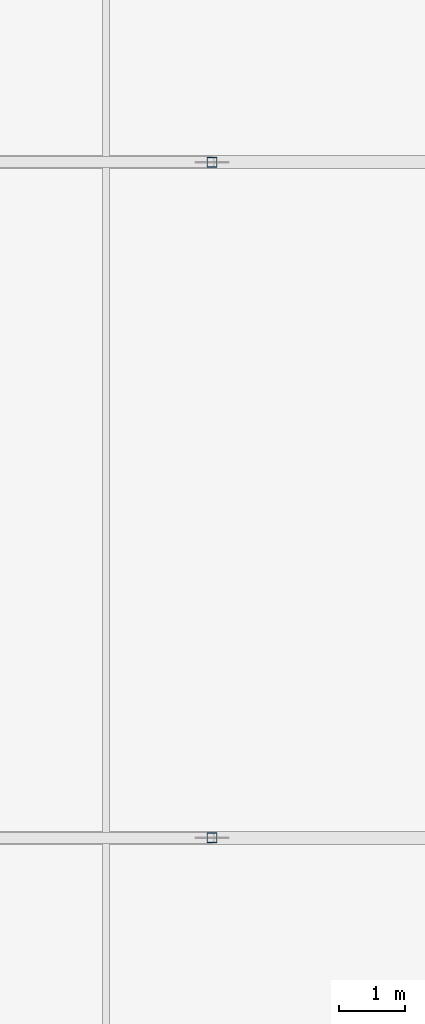
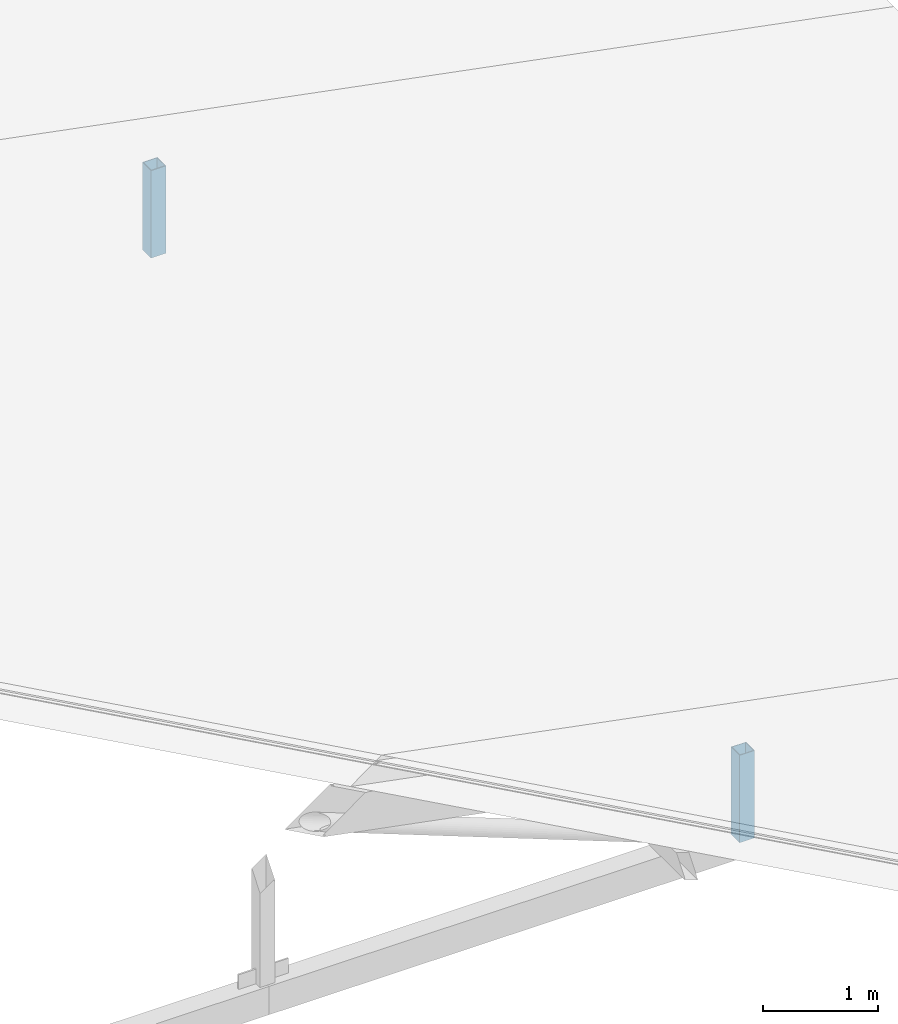
# One storey, part 128 of 200: 2 members.
"""IFC4 building model written with IfcOpenShell, lengths in metres."""

from ifc_helpers import new_model, si_unit, direction, frame, origin, origin_2d, place, context, subcontext, project, spatial, hollow_rectangle, extrude, material, material_profile, profile_set, type_object, element, save


model = new_model("IFC4")

# Units and contexts
model_context = context("Model", 3, precision=1e-05, world=origin(), true_north=direction((0.0, 1.0)))
body_context = subcontext(model_context, "Body", "Model", "MODEL_VIEW")
ifc_project = project(units=[si_unit("LENGTHUNIT", "METRE"), si_unit("AREAUNIT", "SQUARE_METRE"), si_unit("VOLUMEUNIT", "CUBIC_METRE"), si_unit("PLANEANGLEUNIT", "RADIAN"), si_unit("MASSUNIT", "GRAM", prefix="KILO")], contexts=[model_context])

# Site, building, storey
site_placement = place(None, origin())
site = spatial("IfcSite", under=ifc_project, at=site_placement, CompositionType="ELEMENT")
building_placement = place(site_placement, origin())
building = spatial("IfcBuilding", under=site, at=building_placement, Name="Vondelvale Polytechnic", CompositionType="ELEMENT")
storey_placement = place(building_placement, frame((0.0, 0.0, 13.800048828125)))
storey = spatial("IfcBuildingStorey", under=building, at=storey_placement, Name="L03", CompositionType="ELEMENT", Elevation=13.800048828125)

# Members
ifc_material = material(Name="Steel C350L0 (fy = 350 MPa)", Category="steel")
ifc_material_profile = material_profile(ifc_material, hollow_rectangle(XDim=0.14990234375, YDim=0.14990234375, WallThickness=0.006103515625, at=origin_2d()), Name="150x150x6.0SHS")
ifc_profile_set = profile_set([ifc_material_profile], Name="Steel C350L0 (fy = 350 MPa)")
member_type = type_object("IfcMemberType", Name="ROOF TRUSS POST 150SHS", PredefinedType="POST", material=ifc_profile_set)
for number, where, z_axis, x_axis, name in (
    (1, (43.199951171875, 71.39990234375, -0.420166015625), (0.0, 0.0, 1.0), (1.0, 0.0, 0.0), "ROOF TRUSS TR-03 vertical post 8"),
    (2, (43.199951171875, 81.60009765625, -0.420166015625), (0.0, 0.0, 1.0), (1.0, 0.0, 0.0), "ROOF TRUSS TR-04 vertical post 8"),
):
    element("IfcMember", number, at=place(storey_placement, frame(where, z_axis=z_axis, x_axis=x_axis)), inside=storey, type_object=member_type, Name=name, PredefinedType="POST", context=body_context, shape_type="SweptSolid", body=[
        extrude(hollow_rectangle(XDim=0.14990234375, YDim=0.14990234375, WallThickness=0.006103515625, at=origin_2d()), origin(), (0.0, 0.0, 1.0), 0.925048828125),
    ])

save(model, "model.ifc")
